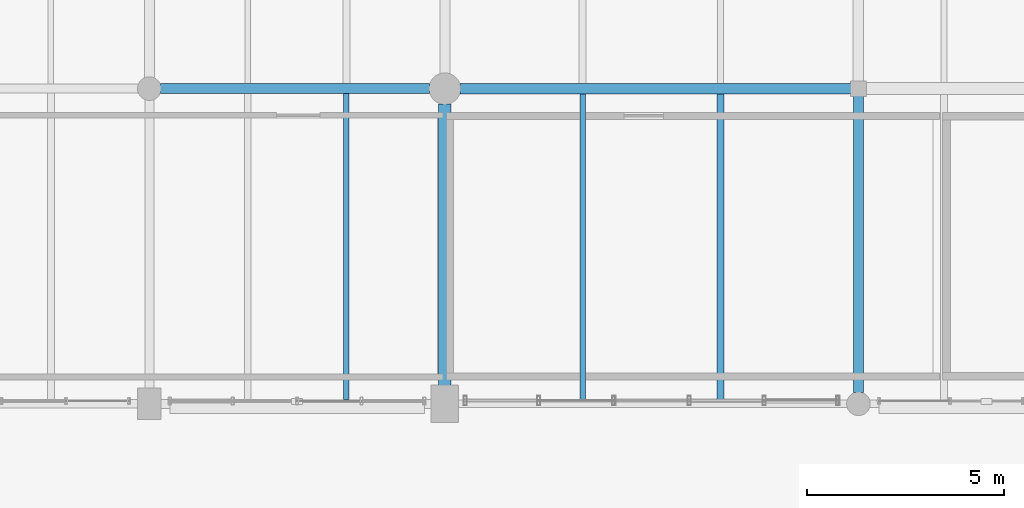
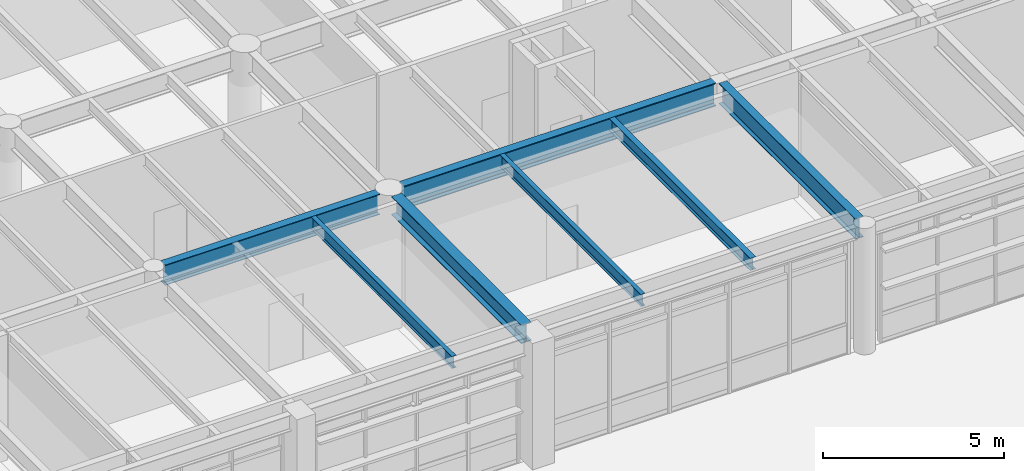
# One storey, part 74 of 168: 7 beams.
"""IFC4 building model written with IfcOpenShell, lengths in metres."""

import ifcopenshell
import ifcopenshell.guid

model = None  # the IFC model being written
_history = None  # IfcOwnerHistory: only IFC2X3 demands one
_inside = {}  # id of a spatial element -> (the spatial element, [elements in it])
_under = {}  # id of a project, library or spatial element -> (it, [spatial elements below it])
_declared = {}  # id of a project -> (the project, [libraries it declares])
_typed = {}  # id of a type object -> (the type object, [elements of that type])
_made_of = {}  # id of a material, layer set ... -> (it, [elements and type objects made of it])


def new_model(schema):
    """Start an empty IFC model of exactly this schema.

    Asked for "IFC4X3", IfcOpenShell would pick the latest addendum, in which some entities
    have other attributes; the version numbers below select the first issue.
    IFC2X3 requires an IfcOwnerHistory on every rooted entity: one is made here for all.
    """
    global model, _history
    if schema == "IFC4X3":
        model = ifcopenshell.file(schema_version=(4, 3, 0, 0))
    else:
        model = ifcopenshell.file(schema=schema)
    _inside.clear()
    _under.clear()
    _declared.clear()
    _typed.clear()
    _made_of.clear()
    _history = None
    if model.schema == "IFC2X3":
        org = make("IfcOrganization", Name="unknown")
        user = make(
            "IfcPersonAndOrganization",
            ThePerson=make("IfcPerson", FamilyName="unknown"),
            TheOrganization=org,
        )
        app = make(
            "IfcApplication",
            ApplicationDeveloper=org,
            Version="unknown",
            ApplicationFullName="unknown",
            ApplicationIdentifier="unknown",
        )
        _history = make(
            "IfcOwnerHistory",
            OwningUser=user,
            OwningApplication=app,
            ChangeAction="ADDED",
            CreationDate=0,
        )
    return model


def make(cls, **values):
    """One entity of the class cls with the attributes given. An attribute that is None is left unset."""
    return model.create_entity(
        cls, **{name: value for name, value in values.items() if value is not None}
    )


def rooted(cls, **values):
    """An entity with a GlobalId (a new one), such as an element, a storey or a relation."""
    return make(cls, GlobalId=ifcopenshell.guid.new(), OwnerHistory=_history, **values)


def si_unit(unit_type, name, prefix=None):
    """IfcSIUnit, for example si_unit("LENGTHUNIT", "METRE", prefix="MILLI")."""
    return make("IfcSIUnit", UnitType=unit_type, Prefix=prefix, Name=name)


def assignment(units):
    """IfcUnitAssignment: the units of a project."""
    return None if units is None else make("IfcUnitAssignment", Units=units)


def point(xyz):
    """IfcCartesianPoint."""
    return None if xyz is None else make("IfcCartesianPoint", Coordinates=xyz)


def direction(xyz):
    """IfcDirection."""
    return None if xyz is None else make("IfcDirection", DirectionRatios=xyz)


def frame(location, z_axis=None, x_axis=None):
    """IfcAxis2Placement3D, a coordinate frame: its origin and axes. An axis left out is left unset."""
    return make(
        "IfcAxis2Placement3D",
        Location=point(location),
        Axis=direction(z_axis),
        RefDirection=direction(x_axis),
    )


def frame_2d(location, x_axis=None):
    """IfcAxis2Placement2D, a coordinate frame in the plane: its origin and x axis."""
    return make(
        "IfcAxis2Placement2D", Location=point(location), RefDirection=direction(x_axis)
    )


def origin():
    """The frame at (0, 0, 0) with its axes left unset."""
    return frame((0.0, 0.0, 0.0))


def origin_2d():
    """The frame at (0, 0) in the plane with its x axis left unset."""
    return frame_2d((0.0, 0.0))


def place(relative_to, where):
    """IfcLocalPlacement: puts the frame where relative to a parent placement (None: the world)."""
    return make(
        "IfcLocalPlacement", PlacementRelTo=relative_to, RelativePlacement=where
    )


def context(
    kind, dimensions, precision=None, world=None, true_north=None, identifier=None
):
    """IfcGeometricRepresentationContext, for example the 3D "Model" context."""
    return make(
        "IfcGeometricRepresentationContext",
        ContextIdentifier=identifier,
        ContextType=kind,
        CoordinateSpaceDimension=dimensions,
        Precision=precision,
        WorldCoordinateSystem=world,
        TrueNorth=true_north,
    )


def subcontext(parent, identifier, kind, view, scale=None):
    """IfcGeometricRepresentationSubContext, for example "Body" below "Model"."""
    return make(
        "IfcGeometricRepresentationSubContext",
        ContextIdentifier=identifier,
        ContextType=kind,
        ParentContext=parent,
        TargetScale=scale,
        TargetView=view,
    )


def project(units=None, contexts=None):
    """IfcProject with its units and contexts."""
    return rooted(
        "IfcProject",
        Name="project",
        RepresentationContexts=contexts,
        UnitsInContext=assignment(units),
    )


def spatial(cls, under=None, at=None, **own):
    """A site, building, storey or space (cls), placed at a placement, below another one or the project."""
    s = rooted(cls, ObjectPlacement=at, **own)
    if under is not None:
        _under.setdefault(under.id(), (under, []))[1].append(s)
    return s


def profile(cls, at=None, kind="AREA", **sizes):
    """A parametric profile (cls). Its sizes go by their IFC names, for example OverallWidth=200.0."""
    return make(cls, ProfileType=kind, Position=at, **sizes)


def i_section(**sizes):
    """IfcIShapeProfileDef."""
    return profile("IfcIShapeProfileDef", **sizes)


def extrude(swept, where, along, depth):
    """IfcExtrudedAreaSolid: the profile swept, set in the frame where, extruded along a direction by depth."""
    return make(
        "IfcExtrudedAreaSolid",
        SweptArea=swept,
        Position=where,
        ExtrudedDirection=direction(along),
        Depth=depth,
    )


def shape(context_of_items, identifier, shape_type, items):
    """IfcShapeRepresentation: the items that make up one representation, for example the "Body"."""
    return make(
        "IfcShapeRepresentation",
        ContextOfItems=context_of_items,
        RepresentationIdentifier=identifier,
        RepresentationType=shape_type,
        Items=items,
    )


def material(Name=None, Category=None):
    """IfcMaterial."""
    return make("IfcMaterial", Name=Name, Category=Category)


def material_profile(
    of_material, cross_section, Name=None, Category=None, Priority=None
):
    """IfcMaterialProfile: a cross section and its material."""
    return make(
        "IfcMaterialProfile",
        Name=Name,
        Material=of_material,
        Profile=cross_section,
        Priority=Priority,
        Category=Category,
    )


def profile_set(profiles, Name=None, composite=None):
    """IfcMaterialProfileSet."""
    return make(
        "IfcMaterialProfileSet",
        Name=Name,
        MaterialProfiles=profiles,
        CompositeProfile=composite,
    )


def made_of(thing, what):
    """Note that an element or type object is made of a material, layer set ...; save() writes the relation."""
    if what is not None:
        _made_of.setdefault(what.id(), (what, []))[1].append(thing)
    return thing


def type_object(cls, material=None, **own):
    """A type object (cls), such as IfcWallType, which elements share."""
    return made_of(rooted(cls, **own), material)


def element(
    cls,
    number,
    at=None,
    inside=None,
    cuts=None,
    type_object=None,
    material=None,
    context=None,
    identifier="Body",
    shape_type=None,
    held_by="IfcProductDefinitionShape",
    body=None,
    shapes=None,
    **own,
):
    """One element of the class cls, such as IfcWall. Its Tag is "e" and its number.

    at: its placement. inside: the storey or other place that contains it. cuts: it is an
    opening in that element (IfcRelVoidsElement). A single representation is given by context,
    identifier, shape_type and body (its items); several are given by shapes. held_by: the class
    of the entity that holds the representations. save() writes the other relations.
    """
    e = rooted(cls, Tag="e%d" % number, ObjectPlacement=at, **own)
    if body is not None:
        shapes = [shape(context, identifier, shape_type, body)]
    if shapes is not None:
        e.Representation = make(held_by, Representations=shapes)
    if inside is not None:
        _inside.setdefault(inside.id(), (inside, []))[1].append(e)
    if cuts is not None:
        rooted(
            "IfcRelVoidsElement", RelatingBuildingElement=cuts, RelatedOpeningElement=e
        )
    if type_object is not None:
        _typed.setdefault(type_object.id(), (type_object, []))[1].append(e)
    return made_of(e, material)


def aggregate(whole, parts):
    """IfcRelAggregates: a whole, such as a stair, and the parts it consists of."""
    return rooted("IfcRelAggregates", RelatingObject=whole, RelatedObjects=parts)


def save(model, path):
    """Write the relations noted so far, then the file.

    IfcRelAggregates (storeys below a building ...), IfcRelContainedInSpatialStructure (elements
    in a storey), IfcRelDefinesByType, IfcRelAssociatesMaterial and IfcRelDeclares: one each for
    every whole, place, type object, material and project.
    """
    for whole, parts in _under.values():
        aggregate(whole, parts)
    for where, things in _inside.values():
        rooted(
            "IfcRelContainedInSpatialStructure",
            RelatedElements=things,
            RelatingStructure=where,
        )
    for kind, things in _typed.values():
        rooted("IfcRelDefinesByType", RelatedObjects=things, RelatingType=kind)
    for what, things in _made_of.values():
        rooted("IfcRelAssociatesMaterial", RelatedObjects=things, RelatingMaterial=what)
    for by, libraries in _declared.values():
        rooted("IfcRelDeclares", RelatingContext=by, RelatedDefinitions=libraries)
    model.write(path)


model = new_model("IFC4")

# Units and contexts
model_context = context("Model", 3, precision=1e-05, world=origin(), true_north=direction((0.0, 1.0)))
body_context = subcontext(model_context, "Body", "Model", "MODEL_VIEW")
ifc_project = project(units=[si_unit("LENGTHUNIT", "METRE"), si_unit("AREAUNIT", "SQUARE_METRE"), si_unit("VOLUMEUNIT", "CUBIC_METRE"), si_unit("PLANEANGLEUNIT", "RADIAN"), si_unit("MASSUNIT", "GRAM", prefix="KILO"), si_unit("THERMODYNAMICTEMPERATUREUNIT", "KELVIN"), si_unit("POWERUNIT", "WATT")], contexts=[model_context])

# Site, building, storey
site_placement = place(None, origin())
site = spatial("IfcSite", under=ifc_project, at=site_placement, CompositionType="ELEMENT")
building_placement = place(site_placement, origin())
building = spatial("IfcBuilding", under=site, at=building_placement, Name="Tepalcoro Natatorium and Aquatics Centre", CompositionType="ELEMENT")
storey_placement = place(building_placement, frame((0.0, 0.0, 10.199951171875)))
storey = spatial("IfcBuildingStorey", under=building, at=storey_placement, Name="L02", CompositionType="ELEMENT", Elevation=10.199951171875)

# Beams
ifc_material = material(Name="Steel ASTM A992 Grade 50 (Fy 345 MPa)", Category="steel")
ifc_material_profile_1 = material_profile(ifc_material, i_section(OverallWidth=0.324951171875, OverallDepth=0.616943359375, WebThickness=0.013916015625, FlangeThickness=0.02197265625, FilletRadius=0.013916015625, at=origin_2d()), Name="W24X117")
ifc_profile_set_1 = profile_set([ifc_material_profile_1], Name="Steel ASTM A992 Grade 50 (Fy 345 MPa)")
beam_type_1 = type_object("IfcBeamType", Name="BM_W24x117", PredefinedType="BEAM", material=ifc_profile_set_1)
beam_1_placement = place(storey_placement, frame((36.0, 94.4599609375, 3.926513671875), z_axis=(0.0, 1.0, 0.0), x_axis=(-1.0, 0.0, 0.0)))
element("IfcBeam", 1, at=beam_1_placement, inside=storey, type_object=beam_type_1, Name="V4 L02 Grid Girder Y", PredefinedType="BEAM", context=body_context, shape_type="SweptSolid", body=[
    extrude(i_section(OverallWidth=0.324951171875, OverallDepth=0.616943359375, WebThickness=0.013916015625, FlangeThickness=0.02197265625, FilletRadius=0.013916015625, at=origin_2d()), origin(), (0.0, 0.0, 1.0), 7.155029296875),
])
ifc_material_profile_2 = material_profile(ifc_material, i_section(OverallWidth=0.25390625, OverallDepth=0.68798828125, WebThickness=0.012939453125, FlangeThickness=0.02099609375, FilletRadius=0.013916015625, at=origin_2d()), Name="W27X102")
ifc_profile_set_2 = profile_set([ifc_material_profile_2], Name="Steel ASTM A992 Grade 50 (Fy 345 MPa)")
beam_type_2 = type_object("IfcBeamType", Name="BM_W27x102", PredefinedType="BEAM", material=ifc_profile_set_2)
beam_2_placement = place(storey_placement, frame((28.784912109375, 102.0, 3.89111328125), z_axis=(1.0, 0.0, 0.0), x_axis=(0.0, 1.0, 0.0)))
element("IfcBeam", 2, at=beam_2_placement, inside=storey, type_object=beam_type_2, Name="V4 L02 Grid Girder X", PredefinedType="BEAM", context=body_context, shape_type="SweptSolid", body=[
    extrude(i_section(OverallWidth=0.25390625, OverallDepth=0.68798828125, WebThickness=0.012939453125, FlangeThickness=0.02099609375, FilletRadius=0.013916015625, at=origin_2d()), origin(), (0.0, 0.0, 1.0), 6.830078125),
])
beam_3_placement = place(storey_placement, frame((46.5, 94.284912109375, 3.89111328125), z_axis=(0.0, 1.0, 0.0), x_axis=(-1.0, 0.0, 0.0)))
element("IfcBeam", 3, at=beam_3_placement, inside=storey, type_object=beam_type_2, Name="V4 L02 Grid Girder Y", PredefinedType="BEAM", context=body_context, shape_type="SweptSolid", body=[
    extrude(i_section(OverallWidth=0.25390625, OverallDepth=0.68798828125, WebThickness=0.012939453125, FlangeThickness=0.02099609375, FilletRadius=0.013916015625, at=origin_2d()), origin(), (0.0, 0.0, 1.0), 7.530029296875),
])
ifc_material_profile_3 = material_profile(ifc_material, i_section(OverallWidth=0.26708984375, OverallDepth=0.780029296875, WebThickness=0.01708984375, FlangeThickness=0.030029296875, FilletRadius=0.013916015625, at=origin_2d()), Name="W30X148")
ifc_profile_set_3 = profile_set([ifc_material_profile_3], Name="Steel ASTM A992 Grade 50 (Fy 345 MPa)")
beam_type_3 = type_object("IfcBeamType", Name="BM_W30x148", PredefinedType="BEAM", material=ifc_profile_set_3)
beam_4_placement = place(storey_placement, frame((36.385009765625, 102.0, 3.844970703125), z_axis=(1.0, 0.0, 0.0), x_axis=(0.0, 1.0, 0.0)))
element("IfcBeam", 4, at=beam_4_placement, inside=storey, type_object=beam_type_3, Name="V4 L02 Grid Girder X", PredefinedType="BEAM", context=body_context, shape_type="SweptSolid", body=[
    extrude(i_section(OverallWidth=0.26708984375, OverallDepth=0.780029296875, WebThickness=0.01708984375, FlangeThickness=0.030029296875, FilletRadius=0.013916015625, at=origin_2d()), origin(), (0.0, 0.0, 1.0), 9.929931640625),
])
ifc_material_profile_4 = material_profile(ifc_material, i_section(OverallWidth=0.139892578125, OverallDepth=0.404052734375, WebThickness=0.007080078125, FlangeThickness=0.010986328125, FilletRadius=0.013916015625, at=origin_2d()), Name="W16X31")
ifc_profile_set_4 = profile_set([ifc_material_profile_4], Name="Steel ASTM A992 Grade 50 (Fy 345 MPa)")
beam_type_4 = type_object("IfcBeamType", Name="JS_W16x31", PredefinedType="JOIST", material=ifc_profile_set_4)
beam_5_placement = place(storey_placement, frame((33.5, 94.114501953125, 4.032958984375), z_axis=(0.0, 1.0, 0.0), x_axis=(-1.0, 0.0, 0.0)))
element("IfcBeam", 5, at=beam_5_placement, inside=storey, type_object=beam_type_4, Name="V4 L02 Floor Joist", PredefinedType="JOIST", context=body_context, shape_type="SweptSolid", body=[
    extrude(i_section(OverallWidth=0.139892578125, OverallDepth=0.404052734375, WebThickness=0.007080078125, FlangeThickness=0.010986328125, FilletRadius=0.013916015625, at=origin_2d()), origin(), (0.0, 0.0, 1.0), 7.758544921875),
])
beam_6_placement = place(storey_placement, frame((39.5, 94.090087890625, 4.032958984375), z_axis=(0.0, 1.0, 0.0), x_axis=(-1.0, 0.0, 0.0)))
element("IfcBeam", 6, at=beam_6_placement, inside=storey, type_object=beam_type_4, Name="V4 L02 Floor Joist", PredefinedType="JOIST", context=body_context, shape_type="SweptSolid", body=[
    extrude(i_section(OverallWidth=0.139892578125, OverallDepth=0.404052734375, WebThickness=0.007080078125, FlangeThickness=0.010986328125, FilletRadius=0.013916015625, at=origin_2d()), origin(), (0.0, 0.0, 1.0), 7.7763671875),
])
ifc_material_profile_5 = material_profile(ifc_material, i_section(OverallWidth=0.178955078125, OverallDepth=0.409912109375, WebThickness=0.009033203125, FlangeThickness=0.013916015625, FilletRadius=0.013916015625, at=origin_2d()), Name="W16X45")
ifc_profile_set_5 = profile_set([ifc_material_profile_5], Name="Steel ASTM A992 Grade 50 (Fy 345 MPa)")
beam_type_5 = type_object("IfcBeamType", Name="JS_W16x45", PredefinedType="JOIST", material=ifc_profile_set_5)
beam_7_placement = place(storey_placement, frame((43.0, 94.090087890625, 4.030029296875), z_axis=(0.0, 1.0, 0.0), x_axis=(-1.0, 0.0, 0.0)))
element("IfcBeam", 7, at=beam_7_placement, inside=storey, type_object=beam_type_5, Name="V4 L02 Floor Joist", PredefinedType="JOIST", context=body_context, shape_type="SweptSolid", body=[
    extrude(i_section(OverallWidth=0.178955078125, OverallDepth=0.409912109375, WebThickness=0.009033203125, FlangeThickness=0.013916015625, FilletRadius=0.013916015625, at=origin_2d()), origin(), (0.0, 0.0, 1.0), 7.7763671875),
])

save(model, "model.ifc")
